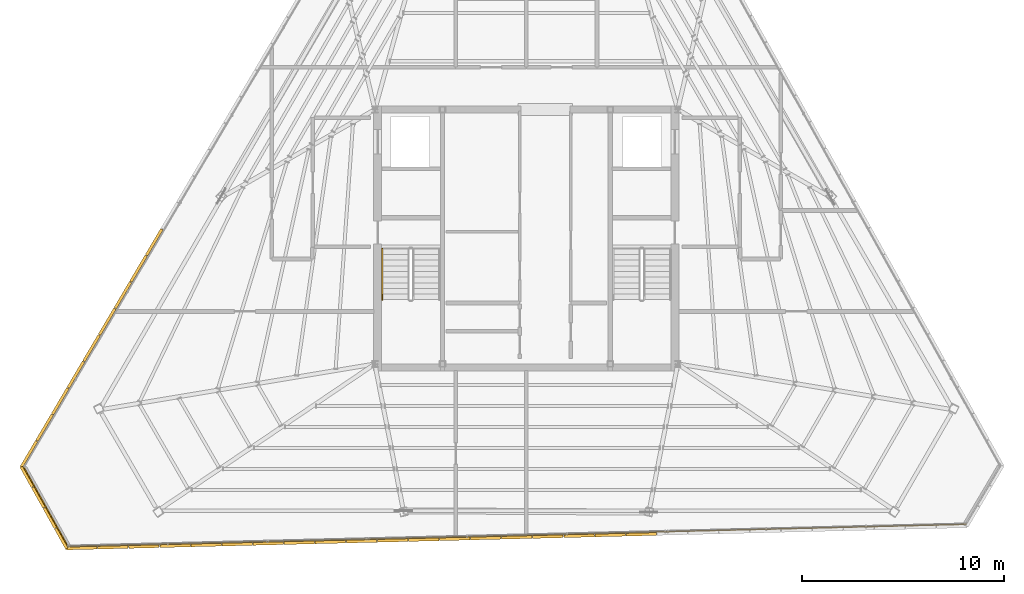
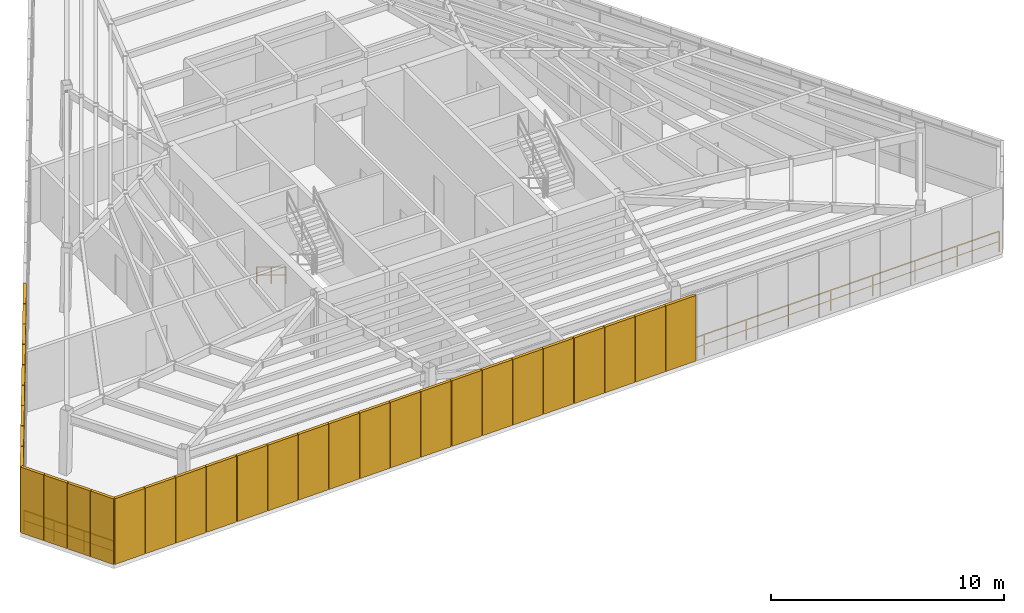
# One storey, part 45 of 47: 32 shading devices, 3 railings.
"""IFC4 building model written with IfcOpenShell, lengths in metres."""

import ifcopenshell
import ifcopenshell.guid

model = None  # the IFC model being written
_history = None  # IfcOwnerHistory: only IFC2X3 demands one
_inside = {}  # id of a spatial element -> (the spatial element, [elements in it])
_under = {}  # id of a project, library or spatial element -> (it, [spatial elements below it])
_declared = {}  # id of a project -> (the project, [libraries it declares])
_typed = {}  # id of a type object -> (the type object, [elements of that type])
_made_of = {}  # id of a material, layer set ... -> (it, [elements and type objects made of it])


def new_model(schema):
    """Start an empty IFC model of exactly this schema.

    Asked for "IFC4X3", IfcOpenShell would pick the latest addendum, in which some entities
    have other attributes; the version numbers below select the first issue.
    IFC2X3 requires an IfcOwnerHistory on every rooted entity: one is made here for all.
    """
    global model, _history
    if schema == "IFC4X3":
        model = ifcopenshell.file(schema_version=(4, 3, 0, 0))
    else:
        model = ifcopenshell.file(schema=schema)
    _inside.clear()
    _under.clear()
    _declared.clear()
    _typed.clear()
    _made_of.clear()
    _history = None
    if model.schema == "IFC2X3":
        org = make("IfcOrganization", Name="unknown")
        user = make(
            "IfcPersonAndOrganization",
            ThePerson=make("IfcPerson", FamilyName="unknown"),
            TheOrganization=org,
        )
        app = make(
            "IfcApplication",
            ApplicationDeveloper=org,
            Version="unknown",
            ApplicationFullName="unknown",
            ApplicationIdentifier="unknown",
        )
        _history = make(
            "IfcOwnerHistory",
            OwningUser=user,
            OwningApplication=app,
            ChangeAction="ADDED",
            CreationDate=0,
        )
    return model


def make(cls, **values):
    """One entity of the class cls with the attributes given. An attribute that is None is left unset."""
    return model.create_entity(
        cls, **{name: value for name, value in values.items() if value is not None}
    )


def rooted(cls, **values):
    """An entity with a GlobalId (a new one), such as an element, a storey or a relation."""
    return make(cls, GlobalId=ifcopenshell.guid.new(), OwnerHistory=_history, **values)


def si_unit(unit_type, name, prefix=None):
    """IfcSIUnit, for example si_unit("LENGTHUNIT", "METRE", prefix="MILLI")."""
    return make("IfcSIUnit", UnitType=unit_type, Prefix=prefix, Name=name)


def assignment(units):
    """IfcUnitAssignment: the units of a project."""
    return None if units is None else make("IfcUnitAssignment", Units=units)


def point(xyz):
    """IfcCartesianPoint."""
    return None if xyz is None else make("IfcCartesianPoint", Coordinates=xyz)


def direction(xyz):
    """IfcDirection."""
    return None if xyz is None else make("IfcDirection", DirectionRatios=xyz)


def frame(location, z_axis=None, x_axis=None):
    """IfcAxis2Placement3D, a coordinate frame: its origin and axes. An axis left out is left unset."""
    return make(
        "IfcAxis2Placement3D",
        Location=point(location),
        Axis=direction(z_axis),
        RefDirection=direction(x_axis),
    )


def frame_2d(location, x_axis=None):
    """IfcAxis2Placement2D, a coordinate frame in the plane: its origin and x axis."""
    return make(
        "IfcAxis2Placement2D", Location=point(location), RefDirection=direction(x_axis)
    )


def origin():
    """The frame at (0, 0, 0) with its axes left unset."""
    return frame((0.0, 0.0, 0.0))


def origin_2d():
    """The frame at (0, 0) in the plane with its x axis left unset."""
    return frame_2d((0.0, 0.0))


def place(relative_to, where):
    """IfcLocalPlacement: puts the frame where relative to a parent placement (None: the world)."""
    return make(
        "IfcLocalPlacement", PlacementRelTo=relative_to, RelativePlacement=where
    )


def context(
    kind, dimensions, precision=None, world=None, true_north=None, identifier=None
):
    """IfcGeometricRepresentationContext, for example the 3D "Model" context."""
    return make(
        "IfcGeometricRepresentationContext",
        ContextIdentifier=identifier,
        ContextType=kind,
        CoordinateSpaceDimension=dimensions,
        Precision=precision,
        WorldCoordinateSystem=world,
        TrueNorth=true_north,
    )


def subcontext(parent, identifier, kind, view, scale=None):
    """IfcGeometricRepresentationSubContext, for example "Body" below "Model"."""
    return make(
        "IfcGeometricRepresentationSubContext",
        ContextIdentifier=identifier,
        ContextType=kind,
        ParentContext=parent,
        TargetScale=scale,
        TargetView=view,
    )


def project(units=None, contexts=None):
    """IfcProject with its units and contexts."""
    return rooted(
        "IfcProject",
        Name="project",
        RepresentationContexts=contexts,
        UnitsInContext=assignment(units),
    )


def spatial(cls, under=None, at=None, **own):
    """A site, building, storey or space (cls), placed at a placement, below another one or the project."""
    s = rooted(cls, ObjectPlacement=at, **own)
    if under is not None:
        _under.setdefault(under.id(), (under, []))[1].append(s)
    return s


def profile(cls, at=None, kind="AREA", **sizes):
    """A parametric profile (cls). Its sizes go by their IFC names, for example OverallWidth=200.0."""
    return make(cls, ProfileType=kind, Position=at, **sizes)


def rectangle(**sizes):
    """IfcRectangleProfileDef."""
    return profile("IfcRectangleProfileDef", **sizes)


def extrude(swept, where, along, depth):
    """IfcExtrudedAreaSolid: the profile swept, set in the frame where, extruded along a direction by depth."""
    return make(
        "IfcExtrudedAreaSolid",
        SweptArea=swept,
        Position=where,
        ExtrudedDirection=direction(along),
        Depth=depth,
    )


def shape(context_of_items, identifier, shape_type, items):
    """IfcShapeRepresentation: the items that make up one representation, for example the "Body"."""
    return make(
        "IfcShapeRepresentation",
        ContextOfItems=context_of_items,
        RepresentationIdentifier=identifier,
        RepresentationType=shape_type,
        Items=items,
    )


def source(mapping_origin, context_of_items, identifier, shape_type, items):
    """IfcRepresentationMap: a shape defined once, which mapped items show again and again."""
    return make(
        "IfcRepresentationMap",
        MappingOrigin=mapping_origin,
        MappedRepresentation=shape(context_of_items, identifier, shape_type, items),
    )


def transform(
    local_origin,
    x_axis=None,
    y_axis=None,
    z_axis=None,
    scale=None,
    scale2=None,
    scale3=None,
    uniform=True,
):
    """IfcCartesianTransformationOperator3D, or its non-uniform kind. x_axis, y_axis, z_axis: its Axis1, 2, 3."""
    if uniform:
        return make(
            "IfcCartesianTransformationOperator3D",
            Axis1=direction(x_axis),
            Axis2=direction(y_axis),
            LocalOrigin=point(local_origin),
            Scale=scale,
            Axis3=direction(z_axis),
        )
    return make(
        "IfcCartesianTransformationOperator3DnonUniform",
        Axis1=direction(x_axis),
        Axis2=direction(y_axis),
        LocalOrigin=point(local_origin),
        Scale=scale,
        Axis3=direction(z_axis),
        Scale2=scale2,
        Scale3=scale3,
    )


def mapped(mapping_source, mapping_target):
    """IfcMappedItem: shows the shape of a source again, moved by a transform."""
    return make(
        "IfcMappedItem", MappingSource=mapping_source, MappingTarget=mapping_target
    )


def material(Name=None, Category=None):
    """IfcMaterial."""
    return make("IfcMaterial", Name=Name, Category=Category)


def layer(
    of_material, thickness, ventilated=None, Name=None, Category=None, Priority=None
):
    """IfcMaterialLayer: one layer of a wall or slab, of a material (None: an air gap)."""
    return make(
        "IfcMaterialLayer",
        Material=of_material,
        LayerThickness=thickness,
        IsVentilated=ventilated,
        Name=Name,
        Category=Category,
        Priority=Priority,
    )


def layer_set(layers, Name=None):
    """IfcMaterialLayerSet."""
    return make("IfcMaterialLayerSet", MaterialLayers=layers, LayerSetName=Name)


def made_of(thing, what):
    """Note that an element or type object is made of a material, layer set ...; save() writes the relation."""
    if what is not None:
        _made_of.setdefault(what.id(), (what, []))[1].append(thing)
    return thing


def type_object(cls, material=None, **own):
    """A type object (cls), such as IfcWallType, which elements share."""
    return made_of(rooted(cls, **own), material)


def type_shapes(of_type, sources):
    """Give a type object the sources (RepresentationMaps) that its elements show as mapped items."""
    of_type.RepresentationMaps = sources


def element(
    cls,
    number,
    at=None,
    inside=None,
    cuts=None,
    type_object=None,
    material=None,
    context=None,
    identifier="Body",
    shape_type=None,
    held_by="IfcProductDefinitionShape",
    body=None,
    shapes=None,
    **own,
):
    """One element of the class cls, such as IfcWall. Its Tag is "e" and its number.

    at: its placement. inside: the storey or other place that contains it. cuts: it is an
    opening in that element (IfcRelVoidsElement). A single representation is given by context,
    identifier, shape_type and body (its items); several are given by shapes. held_by: the class
    of the entity that holds the representations. save() writes the other relations.
    """
    e = rooted(cls, Tag="e%d" % number, ObjectPlacement=at, **own)
    if body is not None:
        shapes = [shape(context, identifier, shape_type, body)]
    if shapes is not None:
        e.Representation = make(held_by, Representations=shapes)
    if inside is not None:
        _inside.setdefault(inside.id(), (inside, []))[1].append(e)
    if cuts is not None:
        rooted(
            "IfcRelVoidsElement", RelatingBuildingElement=cuts, RelatedOpeningElement=e
        )
    if type_object is not None:
        _typed.setdefault(type_object.id(), (type_object, []))[1].append(e)
    return made_of(e, material)


def aggregate(whole, parts):
    """IfcRelAggregates: a whole, such as a stair, and the parts it consists of."""
    return rooted("IfcRelAggregates", RelatingObject=whole, RelatedObjects=parts)


def save(model, path):
    """Write the relations noted so far, then the file.

    IfcRelAggregates (storeys below a building ...), IfcRelContainedInSpatialStructure (elements
    in a storey), IfcRelDefinesByType, IfcRelAssociatesMaterial and IfcRelDeclares: one each for
    every whole, place, type object, material and project.
    """
    for whole, parts in _under.values():
        aggregate(whole, parts)
    for where, things in _inside.values():
        rooted(
            "IfcRelContainedInSpatialStructure",
            RelatedElements=things,
            RelatingStructure=where,
        )
    for kind, things in _typed.values():
        rooted("IfcRelDefinesByType", RelatedObjects=things, RelatingType=kind)
    for what, things in _made_of.values():
        rooted("IfcRelAssociatesMaterial", RelatedObjects=things, RelatingMaterial=what)
    for by, libraries in _declared.values():
        rooted("IfcRelDeclares", RelatingContext=by, RelatedDefinitions=libraries)
    model.write(path)


model = new_model("IFC4")

# Units and contexts
model_context = context("Model", 3, precision=1e-05, world=origin(), true_north=direction((0.0, 1.0)))
body_context = subcontext(model_context, "Body", "Model", "MODEL_VIEW")
ifc_project = project(units=[si_unit("LENGTHUNIT", "METRE"), si_unit("AREAUNIT", "SQUARE_METRE"), si_unit("VOLUMEUNIT", "CUBIC_METRE"), si_unit("PLANEANGLEUNIT", "RADIAN"), si_unit("MASSUNIT", "GRAM", prefix="KILO")], contexts=[model_context])

# Site, building, storey
site_placement = place(None, origin())
site = spatial("IfcSite", under=ifc_project, at=site_placement, CompositionType="ELEMENT")
building_placement = place(site_placement, origin())
building = spatial("IfcBuilding", under=site, at=building_placement, Name="Caelisora Broadcast Tower", CompositionType="ELEMENT")
storey_placement = place(building_placement, frame((0.0, 0.0, 293.199951171875)))
storey = spatial("IfcBuildingStorey", under=building, at=storey_placement, Name="L77", CompositionType="ELEMENT", Elevation=293.199951171875)

# Railings
ifc_material_1 = material(Name="Galvanised Steel Safety Guardrail", Category="steel")
ifc_layer_1 = layer(ifc_material_1, 0.048095703125, Name="Galvanised Steel Safety Guardrail")
ifc_layer_set_1 = layer_set([ifc_layer_1], Name="Galvanised Steel Safety Guardrail")
railing_type_1 = type_object("IfcRailingType", Name="GR-1", PredefinedType="GUARDRAIL", material=ifc_layer_set_1)
railing_1_placement = place(storey_placement, frame((59.77001953125, 9.455078125, 0.0)))
element("IfcRailing", 1, at=railing_1_placement, inside=storey, type_object=railing_type_1, Name="L77 balustrade GR-1 #03", PredefinedType="GUARDRAIL", context=body_context, shape_type="SweptSolid", body=[
    extrude(rectangle(XDim=0.048095703125, YDim=0.048095703125, at=origin_2d()), frame((0.0, 0.0, 1.076171875), z_axis=(-0.999697565655, -0.024592218755, 0.0), x_axis=(0.024592218755, -0.999697565655, 0.0)), (0.0, 0.0, 1.0), 44.4853515625),
    extrude(rectangle(XDim=0.03125, YDim=0.03125, at=origin_2d()), frame((0.0, 0.0, 0.550048828125), z_axis=(-0.999697565655, -0.024592218755, 0.0), x_axis=(0.024592218755, -0.999697565655, 0.0)), (0.0, 0.0, 1.0), 44.4853515625),
    extrude(rectangle(XDim=0.0419921875, YDim=0.0419921875, at=origin_2d()), origin(), (0.0, 0.0, 1.0), 1.052001953125),
    extrude(rectangle(XDim=0.0419921875, YDim=0.0419921875, at=origin_2d()), frame((-2.11767578125, -0.052001953125, 0.0)), (0.0, 0.0, 1.0), 1.052001953125),
    extrude(rectangle(XDim=0.0419921875, YDim=0.0419921875, at=origin_2d()), frame((-4.2353515625, -0.104248046875, 0.0)), (0.0, 0.0, 1.0), 1.052001953125),
    extrude(rectangle(XDim=0.0419921875, YDim=0.0419921875, at=origin_2d()), frame((-6.35302734375, -0.15625, 0.0)), (0.0, 0.0, 1.0), 1.052001953125),
    extrude(rectangle(XDim=0.0419921875, YDim=0.0419921875, at=origin_2d()), frame((-8.470947265625, -0.20849609375, 0.0)), (0.0, 0.0, 1.0), 1.052001953125),
    extrude(rectangle(XDim=0.0419921875, YDim=0.0419921875, at=origin_2d()), frame((-10.588623046875, -0.260498046875, 0.0)), (0.0, 0.0, 1.0), 1.052001953125),
    extrude(rectangle(XDim=0.0419921875, YDim=0.0419921875, at=origin_2d()), frame((-12.706298828125, -0.3125, 0.0)), (0.0, 0.0, 1.0), 1.052001953125),
    extrude(rectangle(XDim=0.0419921875, YDim=0.0419921875, at=origin_2d()), frame((-14.823974609375, -0.36474609375, 0.0)), (0.0, 0.0, 1.0), 1.052001953125),
    extrude(rectangle(XDim=0.0419921875, YDim=0.0419921875, at=origin_2d()), frame((-16.941650390625, -0.416748046875, 0.0)), (0.0, 0.0, 1.0), 1.052001953125),
    extrude(rectangle(XDim=0.0419921875, YDim=0.0419921875, at=origin_2d()), frame((-19.059326171875, -0.46875, 0.0)), (0.0, 0.0, 1.0), 1.052001953125),
    extrude(rectangle(XDim=0.0419921875, YDim=0.0419921875, at=origin_2d()), frame((-21.177001953125, -0.52099609375, 0.0)), (0.0, 0.0, 1.0), 1.052001953125),
    extrude(rectangle(XDim=0.0419921875, YDim=0.0419921875, at=origin_2d()), frame((-23.294921875, -0.572998046875, 0.0)), (0.0, 0.0, 1.0), 1.052001953125),
    extrude(rectangle(XDim=0.0419921875, YDim=0.0419921875, at=origin_2d()), frame((-25.41259765625, -0.625244140625, 0.0)), (0.0, 0.0, 1.0), 1.052001953125),
    extrude(rectangle(XDim=0.0419921875, YDim=0.0419921875, at=origin_2d()), frame((-27.5302734375, -0.67724609375, 0.0)), (0.0, 0.0, 1.0), 1.052001953125),
    extrude(rectangle(XDim=0.0419921875, YDim=0.0419921875, at=origin_2d()), frame((-29.64794921875, -0.729248046875, 0.0)), (0.0, 0.0, 1.0), 1.052001953125),
    extrude(rectangle(XDim=0.0419921875, YDim=0.0419921875, at=origin_2d()), frame((-31.765625, -0.781494140625, 0.0)), (0.0, 0.0, 1.0), 1.052001953125),
    extrude(rectangle(XDim=0.0419921875, YDim=0.0419921875, at=origin_2d()), frame((-33.88330078125, -0.83349609375, 0.0)), (0.0, 0.0, 1.0), 1.052001953125),
    extrude(rectangle(XDim=0.0419921875, YDim=0.0419921875, at=origin_2d()), frame((-36.0009765625, -0.885498046875, 0.0)), (0.0, 0.0, 1.0), 1.052001953125),
    extrude(rectangle(XDim=0.0419921875, YDim=0.0419921875, at=origin_2d()), frame((-38.118896484375, -0.937744140625, 0.0)), (0.0, 0.0, 1.0), 1.052001953125),
    extrude(rectangle(XDim=0.0419921875, YDim=0.0419921875, at=origin_2d()), frame((-40.236572265625, -0.98974609375, 0.0)), (0.0, 0.0, 1.0), 1.052001953125),
    extrude(rectangle(XDim=0.0419921875, YDim=0.0419921875, at=origin_2d()), frame((-42.354248046875, -1.0419921875, 0.0)), (0.0, 0.0, 1.0), 1.052001953125),
    extrude(rectangle(XDim=0.0419921875, YDim=0.0419921875, at=origin_2d()), frame((-44.471923828125, -1.093994140625, 0.0)), (0.0, 0.0, 1.0), 1.052001953125),
])
railing_2_placement = place(storey_placement, frame((15.298095703125, 8.361083984375, 0.0)))
element("IfcRailing", 2, at=railing_2_placement, inside=storey, type_object=railing_type_1, Name="L77 balustrade GR-1 #04", PredefinedType="GUARDRAIL", context=body_context, shape_type="SweptSolid", body=[
    extrude(rectangle(XDim=0.048095703125, YDim=0.048095703125, at=origin_2d()), frame((0.0, 0.0, 1.076171875), z_axis=(-0.487455562715, 0.873147796411, 0.0), x_axis=(-0.873147796411, -0.487455562715, 0.0)), (0.0, 0.0, 1.0), 4.503173828125),
    extrude(rectangle(XDim=0.03125, YDim=0.03125, at=origin_2d()), frame((0.0, 0.0, 0.550048828125), z_axis=(-0.487455562715, 0.873147796411, 0.0), x_axis=(-0.873147796411, -0.487455562715, 0.0)), (0.0, 0.0, 1.0), 4.503173828125),
    extrude(rectangle(XDim=0.0419921875, YDim=0.0419921875, at=origin_2d()), origin(), (0.0, 0.0, 1.0), 1.052001953125),
    extrude(rectangle(XDim=0.0419921875, YDim=0.0419921875, at=origin_2d()), frame((-0.731689453125, 1.310546875, 0.0)), (0.0, 0.0, 1.0), 1.052001953125),
    extrude(rectangle(XDim=0.0419921875, YDim=0.0419921875, at=origin_2d()), frame((-1.46337890625, 2.621337890625, 0.0)), (0.0, 0.0, 1.0), 1.052001953125),
    extrude(rectangle(XDim=0.0419921875, YDim=0.0419921875, at=origin_2d()), frame((-2.195068359375, 3.931884765625, 0.0)), (0.0, 0.0, 1.0), 1.052001953125),
])
ifc_material_2 = material(Name="Stainless Steel Grade 316 Tubular Handrail", Category="steel")
ifc_layer_2 = layer(ifc_material_2, 0.048095703125, Name="Stainless Steel Grade 316 Tubular Handrail")
ifc_layer_set_2 = layer_set([ifc_layer_2], Name="Stainless Steel Grade 316 Tubular Handrail")
railing_type_2 = type_object("IfcRailingType", Name="HR-1", PredefinedType="HANDRAIL", material=ifc_layer_set_2)
railing_3_placement = place(storey_placement, frame((30.8701171875, 23.10009765625, 0.170166015625)))
element("IfcRailing", 3, at=railing_3_placement, inside=storey, type_object=railing_type_2, Name="L77 ST-1 stair handrail 1", PredefinedType="HANDRAIL", context=body_context, shape_type="SweptSolid", body=[
    extrude(rectangle(XDim=0.048095703125, YDim=0.048095703125, at=origin_2d()), frame((0.0, 0.0, 0.8759765625), z_axis=(0.0, -0.854821627497, 0.518921945155), x_axis=(1.0, 0.0, 0.0)), (0.0, 0.0, 1.0), 2.947998046875),
    extrude(rectangle(XDim=0.03125, YDim=0.03125, at=origin_2d()), frame((0.0, 0.0, 0.449951171875), z_axis=(0.0, -0.854821627497, 0.518921945155), x_axis=(1.0, 0.0, 0.0)), (0.0, 0.0, 1.0), 2.947998046875),
    extrude(rectangle(XDim=0.0419921875, YDim=0.0419921875, at=origin_2d()), origin(), (0.0, 0.0, 1.0), 0.851806640625),
    extrude(rectangle(XDim=0.0419921875, YDim=0.0419921875, at=origin_2d()), frame((0.0, -1.260009765625, 0.764892578125)), (0.0, 0.0, 1.0), 0.851806640625),
    extrude(rectangle(XDim=0.0419921875, YDim=0.0419921875, at=origin_2d()), frame((0.0, -2.52001953125, 1.52978515625)), (0.0, 0.0, 1.0), 0.851806640625),
])

# Shading devices
ifc_material_3 = material(Name="Anodised Terracotta Aluminium Acoustic Louvre", Category="aluminium")
ifc_layer_3 = layer(ifc_material_3, 0.139892578125, Name="Anodised Terracotta Aluminium Acoustic Louvre")
ifc_layer_set_3 = layer_set([ifc_layer_3], Name="Anodised Terracotta Aluminium Acoustic Louvre")
shading_device_type = type_object("IfcShadingDeviceType", Name="LV-1", PredefinedType="JALOUSIE", material=ifc_layer_set_3)
shared_shape_1 = source(origin(), body_context, "Body", "SweptSolid", [
    extrude(rectangle(XDim=1.494384765625, YDim=0.139892578125, at=origin_2d()), origin(), (0.0, 0.0, 1.0), 3.43994140625),
])
for number, where, z_axis, x_axis, name in (
    (4, (19.569091796875, 23.430419921875, -0.02001953125), (0.0, 0.0, 1.0), (-0.508740929096, -0.860919663536, 0.0), "L77 crown acoustic louvre #025"),
    (5, (18.79345703125, 22.117919921875, -0.02001953125), (0.0, 0.0, 1.0), (-0.508740929096, -0.860919663536, 0.0), "L77 crown acoustic louvre #026"),
    (6, (18.017822265625, 20.805419921875, -0.02001953125), (0.0, 0.0, 1.0), (-0.508740929096, -0.860919663536, 0.0), "L77 crown acoustic louvre #027"),
    (7, (17.2421875, 19.492919921875, -0.02001953125), (0.0, 0.0, 1.0), (-0.508740929096, -0.860919663536, 0.0), "L77 crown acoustic louvre #028"),
    (8, (16.466552734375, 18.1806640625, -0.02001953125), (0.0, 0.0, 1.0), (-0.508740929096, -0.860919663536, 0.0), "L77 crown acoustic louvre #029"),
    (9, (15.69091796875, 16.8681640625, -0.02001953125), (0.0, 0.0, 1.0), (-0.508740929096, -0.860919663536, 0.0), "L77 crown acoustic louvre #030"),
    (10, (14.915283203125, 15.5556640625, -0.02001953125), (0.0, 0.0, 1.0), (-0.508740929096, -0.860919663536, 0.0), "L77 crown acoustic louvre #031"),
    (11, (14.139892578125, 14.243408203125, -0.02001953125), (0.0, 0.0, 1.0), (-0.508740929096, -0.860919663536, 0.0), "L77 crown acoustic louvre #032"),
    (12, (13.3642578125, 12.930908203125, -0.02001953125), (0.0, 0.0, 1.0), (-0.508740929096, -0.860919663536, 0.0), "L77 crown acoustic louvre #033"),
):
    element("IfcShadingDevice", number, at=place(storey_placement, frame(where, z_axis=z_axis, x_axis=x_axis)), inside=storey, type_object=shading_device_type, Name=name, PredefinedType="JALOUSIE", context=body_context, shape_type="MappedRepresentation", body=[
        mapped(shared_shape_1, transform((0.0, 0.0, 0.0), scale=1.0)),
    ])
shared_shape_2 = source(origin(), body_context, "Body", "SweptSolid", [
    extrude(rectangle(XDim=1.136962890625, YDim=0.139892578125, at=origin_2d()), origin(), (0.0, 0.0, 1.0), 3.43994140625),
])
for number, where, z_axis, x_axis, name in (
    (13, (13.26123046875, 11.804931640625, -0.02001953125), (0.0, 0.0, 1.0), (0.487402531354, -0.87317740032, 0.0), "L77 crown acoustic louvre #034"),
    (14, (13.830078125, 10.785888671875, -0.02001953125), (0.0, 0.0, 1.0), (0.487402531354, -0.87317740032, 0.0), "L77 crown acoustic louvre #035"),
    (15, (14.398681640625, 9.76708984375, -0.02001953125), (0.0, 0.0, 1.0), (0.487402531354, -0.87317740032, 0.0), "L77 crown acoustic louvre #036"),
    (16, (14.967529296875, 8.748046875, -0.02001953125), (0.0, 0.0, 1.0), (0.487402531354, -0.87317740032, 0.0), "L77 crown acoustic louvre #037"),
):
    element("IfcShadingDevice", number, at=place(storey_placement, frame(where, z_axis=z_axis, x_axis=x_axis)), inside=storey, type_object=shading_device_type, Name=name, PredefinedType="JALOUSIE", context=body_context, shape_type="MappedRepresentation", body=[
        mapped(shared_shape_2, transform((0.0, 0.0, 0.0), scale=1.0)),
    ])
shared_shape_3 = source(origin(), body_context, "Body", "SweptSolid", [
    extrude(rectangle(XDim=1.509521484375, YDim=0.139892578125, at=origin_2d()), origin(), (0.0, 0.0, 1.0), 3.43994140625),
])
type_shapes(shading_device_type, [shared_shape_1, shared_shape_2, shared_shape_3])
for number, where, z_axis, x_axis, name in (
    (17, (15.985595703125, 8.27783203125, -0.02001953125), (0.0, 0.0, 1.0), (0.999697210335, 0.024606658605, 0.0), "L77 crown acoustic louvre #038"),
    (18, (17.524658203125, 8.31591796875, -0.02001953125), (0.0, 0.0, 1.0), (0.999697210335, 0.024606658605, 0.0), "L77 crown acoustic louvre #039"),
    (19, (19.063720703125, 8.353515625, -0.02001953125), (0.0, 0.0, 1.0), (0.999697210335, 0.024606658605, 0.0), "L77 crown acoustic louvre #040"),
    (20, (20.602783203125, 8.3916015625, -0.02001953125), (0.0, 0.0, 1.0), (0.999697210335, 0.024606658605, 0.0), "L77 crown acoustic louvre #041"),
    (21, (22.14208984375, 8.429443359375, -0.02001953125), (0.0, 0.0, 1.0), (0.999697210335, 0.024606658605, 0.0), "L77 crown acoustic louvre #042"),
    (22, (23.68115234375, 8.46728515625, -0.02001953125), (0.0, 0.0, 1.0), (0.999697210335, 0.024606658605, 0.0), "L77 crown acoustic louvre #043"),
    (23, (25.22021484375, 8.505126953125, -0.02001953125), (0.0, 0.0, 1.0), (0.999697210335, 0.024606658605, 0.0), "L77 crown acoustic louvre #044"),
    (24, (26.75927734375, 8.54296875, -0.02001953125), (0.0, 0.0, 1.0), (0.999697210335, 0.024606658605, 0.0), "L77 crown acoustic louvre #045"),
    (25, (28.29833984375, 8.580810546875, -0.02001953125), (0.0, 0.0, 1.0), (0.999697210335, 0.024606658605, 0.0), "L77 crown acoustic louvre #046"),
    (26, (29.83740234375, 8.61865234375, -0.02001953125), (0.0, 0.0, 1.0), (0.999697210335, 0.024606658605, 0.0), "L77 crown acoustic louvre #047"),
    (27, (31.376708984375, 8.656494140625, -0.02001953125), (0.0, 0.0, 1.0), (0.999697210335, 0.024606658605, 0.0), "L77 crown acoustic louvre #048"),
    (28, (32.915771484375, 8.6943359375, -0.02001953125), (0.0, 0.0, 1.0), (0.999697210335, 0.024606658605, 0.0), "L77 crown acoustic louvre #049"),
    (29, (34.454833984375, 8.732421875, -0.02001953125), (0.0, 0.0, 1.0), (0.999697210335, 0.024606658605, 0.0), "L77 crown acoustic louvre #050"),
    (30, (35.993896484375, 8.77001953125, -0.02001953125), (0.0, 0.0, 1.0), (0.999697210335, 0.024606658605, 0.0), "L77 crown acoustic louvre #051"),
    (31, (37.532958984375, 8.80810546875, -0.02001953125), (0.0, 0.0, 1.0), (0.999697210335, 0.024606658605, 0.0), "L77 crown acoustic louvre #052"),
    (32, (39.072021484375, 8.845703125, -0.02001953125), (0.0, 0.0, 1.0), (0.999697210335, 0.024606658605, 0.0), "L77 crown acoustic louvre #053"),
    (33, (40.611083984375, 8.8837890625, -0.02001953125), (0.0, 0.0, 1.0), (0.999697210335, 0.024606658605, 0.0), "L77 crown acoustic louvre #054"),
    (34, (42.150390625, 8.921630859375, -0.02001953125), (0.0, 0.0, 1.0), (0.999697210335, 0.024606658605, 0.0), "L77 crown acoustic louvre #055"),
    (35, (43.689453125, 8.95947265625, -0.02001953125), (0.0, 0.0, 1.0), (0.999697210335, 0.024606658605, 0.0), "L77 crown acoustic louvre #056"),
):
    element("IfcShadingDevice", number, at=place(storey_placement, frame(where, z_axis=z_axis, x_axis=x_axis)), inside=storey, type_object=shading_device_type, Name=name, PredefinedType="JALOUSIE", context=body_context, shape_type="MappedRepresentation", body=[
        mapped(shared_shape_3, transform((0.0, 0.0, 0.0), scale=1.0)),
    ])

save(model, "model.ifc")
